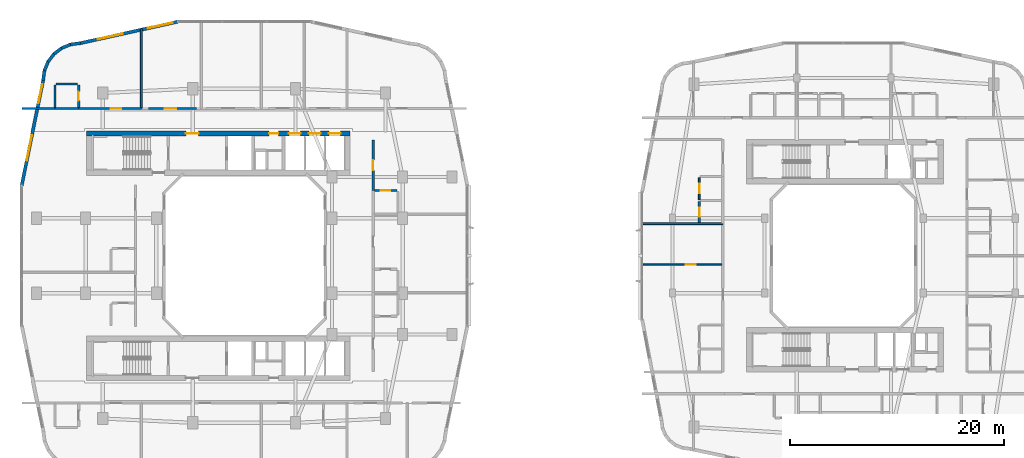
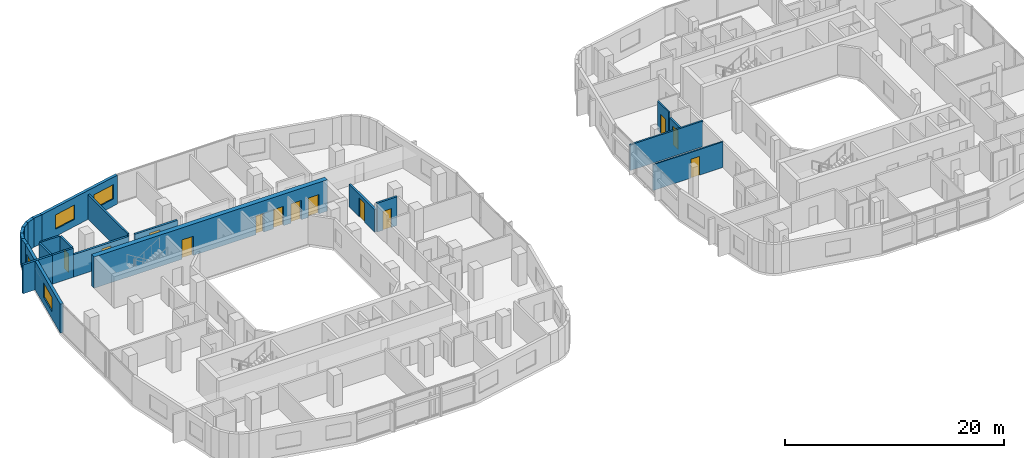
# One storey, part 16 of 27: 23 walls, 13 doors, 4 windows, 17 openings.
"""IFC4 building model written with IfcOpenShell, lengths in metres."""

import ifcopenshell
import ifcopenshell.guid

model = None  # the IFC model being written
_history = None  # IfcOwnerHistory: only IFC2X3 demands one
_inside = {}  # id of a spatial element -> (the spatial element, [elements in it])
_under = {}  # id of a project, library or spatial element -> (it, [spatial elements below it])
_declared = {}  # id of a project -> (the project, [libraries it declares])
_typed = {}  # id of a type object -> (the type object, [elements of that type])
_made_of = {}  # id of a material, layer set ... -> (it, [elements and type objects made of it])


def new_model(schema):
    """Start an empty IFC model of exactly this schema.

    Asked for "IFC4X3", IfcOpenShell would pick the latest addendum, in which some entities
    have other attributes; the version numbers below select the first issue.
    IFC2X3 requires an IfcOwnerHistory on every rooted entity: one is made here for all.
    """
    global model, _history
    if schema == "IFC4X3":
        model = ifcopenshell.file(schema_version=(4, 3, 0, 0))
    else:
        model = ifcopenshell.file(schema=schema)
    _inside.clear()
    _under.clear()
    _declared.clear()
    _typed.clear()
    _made_of.clear()
    _history = None
    if model.schema == "IFC2X3":
        org = make("IfcOrganization", Name="unknown")
        user = make(
            "IfcPersonAndOrganization",
            ThePerson=make("IfcPerson", FamilyName="unknown"),
            TheOrganization=org,
        )
        app = make(
            "IfcApplication",
            ApplicationDeveloper=org,
            Version="unknown",
            ApplicationFullName="unknown",
            ApplicationIdentifier="unknown",
        )
        _history = make(
            "IfcOwnerHistory",
            OwningUser=user,
            OwningApplication=app,
            ChangeAction="ADDED",
            CreationDate=0,
        )
    return model


def make(cls, **values):
    """One entity of the class cls with the attributes given. An attribute that is None is left unset."""
    return model.create_entity(
        cls, **{name: value for name, value in values.items() if value is not None}
    )


def rooted(cls, **values):
    """An entity with a GlobalId (a new one), such as an element, a storey or a relation."""
    return make(cls, GlobalId=ifcopenshell.guid.new(), OwnerHistory=_history, **values)


def si_unit(unit_type, name, prefix=None):
    """IfcSIUnit, for example si_unit("LENGTHUNIT", "METRE", prefix="MILLI")."""
    return make("IfcSIUnit", UnitType=unit_type, Prefix=prefix, Name=name)


def derived_unit(unit_type, elements):
    """IfcDerivedUnit: a product of units, each with its exponent."""
    return make(
        "IfcDerivedUnit",
        Elements=[
            make("IfcDerivedUnitElement", Unit=unit, Exponent=power)
            for unit, power in elements
        ],
        UnitType=unit_type,
    )


def assignment(units):
    """IfcUnitAssignment: the units of a project."""
    return None if units is None else make("IfcUnitAssignment", Units=units)


def point(xyz):
    """IfcCartesianPoint."""
    return None if xyz is None else make("IfcCartesianPoint", Coordinates=xyz)


def direction(xyz):
    """IfcDirection."""
    return None if xyz is None else make("IfcDirection", DirectionRatios=xyz)


def frame(location, z_axis=None, x_axis=None):
    """IfcAxis2Placement3D, a coordinate frame: its origin and axes. An axis left out is left unset."""
    return make(
        "IfcAxis2Placement3D",
        Location=point(location),
        Axis=direction(z_axis),
        RefDirection=direction(x_axis),
    )


def frame_2d(location, x_axis=None):
    """IfcAxis2Placement2D, a coordinate frame in the plane: its origin and x axis."""
    return make(
        "IfcAxis2Placement2D", Location=point(location), RefDirection=direction(x_axis)
    )


def origin():
    """The frame at (0, 0, 0) with its axes left unset."""
    return frame((0.0, 0.0, 0.0))


def place(relative_to, where):
    """IfcLocalPlacement: puts the frame where relative to a parent placement (None: the world)."""
    return make(
        "IfcLocalPlacement", PlacementRelTo=relative_to, RelativePlacement=where
    )


def context(
    kind, dimensions, precision=None, world=None, true_north=None, identifier=None
):
    """IfcGeometricRepresentationContext, for example the 3D "Model" context."""
    return make(
        "IfcGeometricRepresentationContext",
        ContextIdentifier=identifier,
        ContextType=kind,
        CoordinateSpaceDimension=dimensions,
        Precision=precision,
        WorldCoordinateSystem=world,
        TrueNorth=true_north,
    )


def subcontext(parent, identifier, kind, view, scale=None):
    """IfcGeometricRepresentationSubContext, for example "Body" below "Model"."""
    return make(
        "IfcGeometricRepresentationSubContext",
        ContextIdentifier=identifier,
        ContextType=kind,
        ParentContext=parent,
        TargetScale=scale,
        TargetView=view,
    )


def project(units=None, contexts=None):
    """IfcProject with its units and contexts."""
    return rooted(
        "IfcProject",
        Name="project",
        RepresentationContexts=contexts,
        UnitsInContext=assignment(units),
    )


def spatial(cls, under=None, at=None, **own):
    """A site, building, storey or space (cls), placed at a placement, below another one or the project."""
    s = rooted(cls, ObjectPlacement=at, **own)
    if under is not None:
        _under.setdefault(under.id(), (under, []))[1].append(s)
    return s


def profile(cls, at=None, kind="AREA", **sizes):
    """A parametric profile (cls). Its sizes go by their IFC names, for example OverallWidth=200.0."""
    return make(cls, ProfileType=kind, Position=at, **sizes)


def rectangle(**sizes):
    """IfcRectangleProfileDef."""
    return profile("IfcRectangleProfileDef", **sizes)


def extrude(swept, where, along, depth):
    """IfcExtrudedAreaSolid: the profile swept, set in the frame where, extruded along a direction by depth."""
    return make(
        "IfcExtrudedAreaSolid",
        SweptArea=swept,
        Position=where,
        ExtrudedDirection=direction(along),
        Depth=depth,
    )


def shape(context_of_items, identifier, shape_type, items):
    """IfcShapeRepresentation: the items that make up one representation, for example the "Body"."""
    return make(
        "IfcShapeRepresentation",
        ContextOfItems=context_of_items,
        RepresentationIdentifier=identifier,
        RepresentationType=shape_type,
        Items=items,
    )


def material(Name=None, Category=None):
    """IfcMaterial."""
    return make("IfcMaterial", Name=Name, Category=Category)


def layer(
    of_material, thickness, ventilated=None, Name=None, Category=None, Priority=None
):
    """IfcMaterialLayer: one layer of a wall or slab, of a material (None: an air gap)."""
    return make(
        "IfcMaterialLayer",
        Material=of_material,
        LayerThickness=thickness,
        IsVentilated=ventilated,
        Name=Name,
        Category=Category,
        Priority=Priority,
    )


def layer_set(layers, Name=None):
    """IfcMaterialLayerSet."""
    return make("IfcMaterialLayerSet", MaterialLayers=layers, LayerSetName=Name)


def made_of(thing, what):
    """Note that an element or type object is made of a material, layer set ...; save() writes the relation."""
    if what is not None:
        _made_of.setdefault(what.id(), (what, []))[1].append(thing)
    return thing


def type_object(cls, material=None, **own):
    """A type object (cls), such as IfcWallType, which elements share."""
    return made_of(rooted(cls, **own), material)


def element(
    cls,
    number,
    at=None,
    inside=None,
    cuts=None,
    type_object=None,
    material=None,
    context=None,
    identifier="Body",
    shape_type=None,
    held_by="IfcProductDefinitionShape",
    body=None,
    shapes=None,
    **own,
):
    """One element of the class cls, such as IfcWall. Its Tag is "e" and its number.

    at: its placement. inside: the storey or other place that contains it. cuts: it is an
    opening in that element (IfcRelVoidsElement). A single representation is given by context,
    identifier, shape_type and body (its items); several are given by shapes. held_by: the class
    of the entity that holds the representations. save() writes the other relations.
    """
    e = rooted(cls, Tag="e%d" % number, ObjectPlacement=at, **own)
    if body is not None:
        shapes = [shape(context, identifier, shape_type, body)]
    if shapes is not None:
        e.Representation = make(held_by, Representations=shapes)
    if inside is not None:
        _inside.setdefault(inside.id(), (inside, []))[1].append(e)
    if cuts is not None:
        rooted(
            "IfcRelVoidsElement", RelatingBuildingElement=cuts, RelatedOpeningElement=e
        )
    if type_object is not None:
        _typed.setdefault(type_object.id(), (type_object, []))[1].append(e)
    return made_of(e, material)


def fill(opening, filler):
    """IfcRelFillsElement: the door or window that sits in an opening."""
    return rooted(
        "IfcRelFillsElement",
        RelatingOpeningElement=opening,
        RelatedBuildingElement=filler,
    )


def aggregate(whole, parts):
    """IfcRelAggregates: a whole, such as a stair, and the parts it consists of."""
    return rooted("IfcRelAggregates", RelatingObject=whole, RelatedObjects=parts)


def save(model, path):
    """Write the relations noted so far, then the file.

    IfcRelAggregates (storeys below a building ...), IfcRelContainedInSpatialStructure (elements
    in a storey), IfcRelDefinesByType, IfcRelAssociatesMaterial and IfcRelDeclares: one each for
    every whole, place, type object, material and project.
    """
    for whole, parts in _under.values():
        aggregate(whole, parts)
    for where, things in _inside.values():
        rooted(
            "IfcRelContainedInSpatialStructure",
            RelatedElements=things,
            RelatingStructure=where,
        )
    for kind, things in _typed.values():
        rooted("IfcRelDefinesByType", RelatedObjects=things, RelatingType=kind)
    for what, things in _made_of.values():
        rooted("IfcRelAssociatesMaterial", RelatedObjects=things, RelatingMaterial=what)
    for by, libraries in _declared.values():
        rooted("IfcRelDeclares", RelatingContext=by, RelatedDefinitions=libraries)
    model.write(path)


model = new_model("IFC4")

# Units and contexts
model_context = context("Model", 3, precision=1e-05, world=origin(), true_north=direction((0.0, 1.0)))
body_context = subcontext(model_context, "Body", "Model", "MODEL_VIEW")
ifc_project = project(units=[si_unit("LENGTHUNIT", "METRE"), si_unit("AREAUNIT", "SQUARE_METRE"), si_unit("VOLUMEUNIT", "CUBIC_METRE"), si_unit("PLANEANGLEUNIT", "RADIAN"), si_unit("MASSUNIT", "GRAM", prefix="KILO"), derived_unit("THERMALTRANSMITTANCEUNIT", [(si_unit("POWERUNIT", "WATT"), 1), (si_unit("LENGTHUNIT", "METRE"), -2), (si_unit("THERMODYNAMICTEMPERATUREUNIT", "KELVIN"), -1)])], contexts=[model_context])

# Site, building, storey
site_placement = place(None, origin())
site = spatial("IfcSite", under=ifc_project, at=site_placement, CompositionType="ELEMENT")
building_placement = place(site_placement, origin())
building = spatial("IfcBuilding", under=site, at=building_placement, Name="Kivonza Crest Hotel", CompositionType="ELEMENT")
storey_placement = place(building_placement, frame((0.0, 0.0, 73.0)))
storey = spatial("IfcBuildingStorey", under=building, at=storey_placement, Name="L19", CompositionType="ELEMENT", Elevation=73.0)

# Walls
ifc_material_1 = material(Name="High-density acoustic masonry inter-tenancy wall", Category="masonry")
ifc_layer_1 = layer(ifc_material_1, 0.179931640625)
ifc_layer_set_1 = layer_set([ifc_layer_1], Name="High-density acoustic masonry inter-tenancy wall")
wall_type_1 = type_object("IfcWallType", Name="WL-ACOU-180", PredefinedType="SOLIDWALL", material=ifc_layer_set_1)
wall_1_placement = place(storey_placement, frame((11.39990234375, 38.75, 0.0), z_axis=(0.0, 0.0, 1.0), x_axis=(0.0, 1.0, 0.0)))
element("IfcWall", 1, at=wall_1_placement, inside=storey, type_object=wall_type_1, Name="L19 interior partition WA-L19-T1N-DIV1", PredefinedType="SOLIDWALL", context=body_context, shape_type="SweptSolid", body=[
    extrude(rectangle(XDim=7.449951171875, YDim=0.179931640625, at=frame_2d((3.72509765625, 0.0))), origin(), (0.0, 0.0, 1.0), 2.7451171875),
])
wall_2_placement = place(storey_placement, frame((58.06005859375, 28.0, 0.0), z_axis=(0.0, 0.0, 1.0), x_axis=(1.0, 0.0, 0.0)))
element("IfcWall", 2, at=wall_2_placement, inside=storey, type_object=wall_type_1, Name="L19 interior partition WA-L19-T2W-DIV1", PredefinedType="SOLIDWALL", context=body_context, shape_type="SweptSolid", body=[
    extrude(rectangle(XDim=7.639892578125, YDim=0.179931640625, at=frame_2d((3.81982421875, 0.0))), origin(), (0.0, 0.0, 1.0), 2.864990234375),
])
ifc_material_2 = material(Name="Autoclaved aerated concrete blockwork", Category="masonry")
ifc_layer_2 = layer(ifc_material_2, 0.219970703125)
ifc_layer_set_2 = layer_set([ifc_layer_2], Name="Autoclaved aerated concrete blockwork")
wall_type_2 = type_object("IfcWallType", Name="WL-ACOU-220", PredefinedType="SOLIDWALL", material=ifc_layer_set_2)
wall_3_placement = place(storey_placement, frame((0.239990234375, 38.75, 0.0), z_axis=(0.0, 0.0, 1.0), x_axis=(1.0, 0.0, 0.0)))
element("IfcWall", 3, at=wall_3_placement, inside=storey, type_object=wall_type_2, Name="L19 interior partition WA-L19-N01-XCORR", PredefinedType="SOLIDWALL", context=body_context, shape_type="SweptSolid", body=[
    extrude(rectangle(XDim=3.110107421875, YDim=0.219970703125, at=frame_2d((1.55517578125, 0.0))), origin(), (0.0, 0.0, 1.0), 3.219970703125),
])
wall_4_placement = place(storey_placement, frame((3.35009765625, 38.75, 0.0), z_axis=(0.0, 0.0, 1.0), x_axis=(1.0, 0.0, 0.0)))
element("IfcWall", 4, at=wall_4_placement, inside=storey, type_object=wall_type_2, Name="L19 interior partition WA-L19-N01-BCORR", PredefinedType="SOLIDWALL", context=body_context, shape_type="SweptSolid", body=[
    extrude(rectangle(XDim=2.199951171875, YDim=0.219970703125, at=frame_2d((1.10009765625, 0.0))), origin(), (0.0, 0.0, 1.0), 3.219970703125),
])

# Wall, opening, door
wall_5_placement = place(storey_placement, frame((5.550048828125, 38.75, 0.0), z_axis=(0.0, 0.0, 1.0), x_axis=(1.0, 0.0, 0.0)))
wall_5 = element("IfcWall", 5, at=wall_5_placement, inside=storey, type_object=wall_type_2, Name="L19 interior partition WA-L19-N01-MCORR", PredefinedType="SOLIDWALL", context=body_context, shape_type="SweptSolid", body=[
    extrude(rectangle(XDim=5.849853515625, YDim=0.219970703125, at=frame_2d((2.9248046875, 0.0))), origin(), (0.0, 0.0, 1.0), 2.4951171875),
])
opening_1_placement = place(wall_5_placement, frame((3.010009765625, 0.0, 0.0)))
opening_1 = element("IfcOpeningElement", 6, at=opening_1_placement, cuts=wall_5, Name="Opening DU-60", PredefinedType="OPENING", context=body_context, shape_type="SweptSolid", body=[
    extrude(rectangle(XDim=0.949951171875, YDim=2.10009765625, at=frame_2d((0.47509765625, 1.050048828125))), frame((0.0, 0.1201171875, 0.0), z_axis=(0.0, -1.0, 0.0), x_axis=(1.0, 0.0, 0.0)), (0.0, 0.0, 1.0), 0.239990234375),
])
ifc_material_3 = material(Name="Hardwood timber oak", Category="wood")
door_type_1 = type_object("IfcDoorType", Name="DR-UNIT-950", OperationType="NOTDEFINED", PredefinedType="DOOR", material=ifc_material_3)
door_1_placement = place(opening_1_placement, origin())
door_1 = element("IfcDoor", 7, at=door_1_placement, inside=storey, type_object=door_type_1, Name="L19 N01 guest unit entrance fire door", OperationType="SINGLE_SWING_LEFT", OverallHeight=2.10009765625, OverallWidth=0.949951171875, PredefinedType="DOOR", context=body_context, shape_type="SweptSolid", body=[
    extrude(rectangle(XDim=0.949951171875, YDim=2.10009765625, at=frame_2d((0.47509765625, 1.050048828125))), frame((0.0, 0.02490234375, 0.0), z_axis=(0.0, -1.0, 0.0), x_axis=(1.0, 0.0, 0.0)), (0.0, 0.0, 1.0), 0.050048828125),
])
fill(opening_1, door_1)

wall_6_placement = place(storey_placement, frame((12.050048828125, 38.75, 0.0), z_axis=(0.0, 0.0, 1.0), x_axis=(1.0, 0.0, 0.0)))
wall_6 = element("IfcWall", 8, at=wall_6_placement, inside=storey, type_object=wall_type_2, Name="L19 interior partition WA-L19-Z1-NB2A-S", PredefinedType="SOLIDWALL", context=body_context, shape_type="SweptSolid", body=[
    extrude(rectangle(XDim=4.5, YDim=0.219970703125, at=frame_2d((2.25, 0.0))), origin(), (0.0, 0.0, 1.0), 2.4951171875),
])
opening_2_placement = place(wall_6_placement, frame((1.52001953125, 0.0, 0.0)))
opening_2 = element("IfcOpeningElement", 9, at=opening_2_placement, cuts=wall_6, Name="Opening DF-60M", PredefinedType="OPENING", context=body_context, shape_type="SweptSolid", body=[
    extrude(rectangle(XDim=1.10009765625, YDim=2.10009765625, at=frame_2d((0.550048828125, 1.050048828125))), frame((0.0, 0.1201171875, 0.0), z_axis=(0.0, -1.0, 0.0), x_axis=(1.0, 0.0, 0.0)), (0.0, 0.0, 1.0), 0.239990234375),
])
door_type_2 = type_object("IfcDoorType", Name="DR-FD60-1100", OperationType="NOTDEFINED", PredefinedType="DOOR", material=ifc_material_3)
door_2_placement = place(opening_2_placement, origin())
door_2 = element("IfcDoor", 10, at=door_2_placement, inside=storey, type_object=door_type_2, Name="L19 Zone 1 North Executive Office door", OperationType="SINGLE_SWING_RIGHT", OverallHeight=2.10009765625, OverallWidth=1.10009765625, PredefinedType="DOOR", context=body_context, shape_type="SweptSolid", body=[
    extrude(rectangle(XDim=1.10009765625, YDim=2.10009765625, at=frame_2d((0.550048828125, 1.050048828125))), frame((0.0, 0.02490234375, 0.0), z_axis=(0.0, -1.0, 0.0), x_axis=(1.0, 0.0, 0.0)), (0.0, 0.0, 1.0), 0.050048828125),
])
fill(opening_2, door_2)

wall_7_placement = place(storey_placement, frame((33.050048828125, 31.087890625, 0.0), z_axis=(0.0, 0.0, 1.0), x_axis=(0.0, 1.0, 0.0)))
wall_7 = element("IfcWall", 11, at=wall_7_placement, inside=storey, type_object=wall_type_2, Name="L19 interior partition WA-L19-E08-MCORR", PredefinedType="SOLIDWALL", context=body_context, shape_type="SweptSolid", body=[
    extrude(rectangle(XDim=4.712158203125, YDim=0.219970703125, at=frame_2d((2.35595703125, 0.0))), origin(), (0.0, 0.0, 1.0), 2.4951171875),
])
opening_3_placement = place(wall_7_placement, frame((1.881103515625, 0.0, 0.0)))
opening_3 = element("IfcOpeningElement", 12, at=opening_3_placement, cuts=wall_7, Name="Opening DU-60", PredefinedType="OPENING", context=body_context, shape_type="SweptSolid", body=[
    extrude(rectangle(XDim=0.949951171875, YDim=2.10009765625, at=frame_2d((0.47509765625, 1.050048828125))), frame((0.0, 0.1201171875, 0.0), z_axis=(0.0, -1.0, 0.0), x_axis=(1.0, 0.0, 0.0)), (0.0, 0.0, 1.0), 0.239990234375),
])
door_3_placement = place(opening_3_placement, frame((0.949951171875, 0.0, 0.0), z_axis=(0.0, 0.0, 1.0), x_axis=(-1.0, 0.0, 0.0)))
door_3 = element("IfcDoor", 13, at=door_3_placement, inside=storey, type_object=door_type_1, Name="L19 E08 guest unit entrance fire door", OperationType="SINGLE_SWING_RIGHT", OverallHeight=2.10009765625, OverallWidth=0.949951171875, PredefinedType="DOOR", context=body_context, shape_type="SweptSolid", body=[
    extrude(rectangle(XDim=0.949951171875, YDim=2.10009765625, at=frame_2d((0.47509765625, 1.050048828125))), frame((0.0, 0.02490234375, 0.0), z_axis=(0.0, -1.0, 0.0), x_axis=(1.0, 0.0, 0.0)), (0.0, 0.0, 1.0), 0.050048828125),
])
fill(opening_3, door_3)

# Wall, openings, doors
ifc_material_4 = material(Name="Concrete C60/75", Category="concrete")
ifc_layer_3 = layer(ifc_material_4, 0.5)
ifc_layer_set_3 = layer_set([ifc_layer_3], Name="Concrete C60/75")
wall_type_3 = type_object("IfcWallType", Name="WL-CORE-500", PredefinedType="SHEAR", material=ifc_layer_set_3)
wall_8_placement = place(storey_placement, frame((6.300048828125, 36.409912109375, 0.0), z_axis=(0.0, 0.0, 1.0), x_axis=(1.0, 0.0, 0.0)))
wall_8 = element("IfcWall", 14, at=wall_8_placement, inside=storey, type_object=wall_type_3, Name="Core wall T1-N North L19", PredefinedType="SHEAR", context=body_context, shape_type="SweptSolid", body=[
    extrude(rectangle(XDim=24.599853515625, YDim=0.5, at=frame_2d((12.2998046875, 0.0))), origin(), (0.0, 0.0, 1.0), 3.5),
])
opening_4_placement = place(wall_8_placement, frame((9.25, 0.0, 0.0)))
opening_4 = element("IfcOpeningElement", 15, at=opening_4_placement, cuts=wall_8, Name="Opening DF-60", PredefinedType="OPENING", context=body_context, shape_type="SweptSolid", body=[
    extrude(rectangle(XDim=1.199951171875, YDim=2.14990234375, at=frame_2d((0.60009765625, 1.074951171875))), frame((0.0, 0.260009765625, 0.0), z_axis=(0.0, -1.0, 0.0), x_axis=(1.0, 0.0, 0.0)), (0.0, 0.0, 1.0), 0.52001953125),
])
opening_5_placement = place(wall_8_placement, frame((17.0400390625, 0.0, 0.0)))
opening_5 = element("IfcOpeningElement", 16, at=opening_5_placement, cuts=wall_8, Name="Opening DF-60R", PredefinedType="OPENING", context=body_context, shape_type="SweptSolid", body=[
    extrude(rectangle(XDim=0.85009765625, YDim=2.10009765625, at=frame_2d((0.425048828125, 1.050048828125))), frame((0.0, 0.260009765625, 0.0), z_axis=(0.0, -1.0, 0.0), x_axis=(1.0, 0.0, 0.0)), (0.0, 0.0, 1.0), 0.52001953125),
])
opening_6_placement = place(wall_8_placement, frame((18.883056640625, 0.0, 0.0)))
opening_6 = element("IfcOpeningElement", 17, at=opening_6_placement, cuts=wall_8, Name="Opening LD-120", PredefinedType="OPENING", context=body_context, shape_type="SweptSolid", body=[
    extrude(rectangle(XDim=1.10009765625, YDim=2.14990234375, at=frame_2d((0.550048828125, 1.074951171875))), frame((0.0, 0.260009765625, 0.0), z_axis=(0.0, -1.0, 0.0), x_axis=(1.0, 0.0, 0.0)), (0.0, 0.0, 1.0), 0.52001953125),
])
opening_7_placement = place(wall_8_placement, frame((20.75, 0.0, 0.0)))
opening_7 = element("IfcOpeningElement", 18, at=opening_7_placement, cuts=wall_8, Name="Opening LD-120", PredefinedType="OPENING", context=body_context, shape_type="SweptSolid", body=[
    extrude(rectangle(XDim=1.10009765625, YDim=2.14990234375, at=frame_2d((0.550048828125, 1.074951171875))), frame((0.0, 0.260009765625, 0.0), z_axis=(0.0, -1.0, 0.0), x_axis=(1.0, 0.0, 0.0)), (0.0, 0.0, 1.0), 0.52001953125),
])
opening_8_placement = place(wall_8_placement, frame((22.615966796875, 0.0, 0.0)))
opening_8 = element("IfcOpeningElement", 19, at=opening_8_placement, cuts=wall_8, Name="Opening LD-120", PredefinedType="OPENING", context=body_context, shape_type="SweptSolid", body=[
    extrude(rectangle(XDim=1.10009765625, YDim=2.14990234375, at=frame_2d((0.550048828125, 1.074951171875))), frame((0.0, 0.260009765625, 0.0), z_axis=(0.0, -1.0, 0.0), x_axis=(1.0, 0.0, 0.0)), (0.0, 0.0, 1.0), 0.52001953125),
])
door_type_3 = type_object("IfcDoorType", Name="DR-FD60-1200", OperationType="NOTDEFINED", PredefinedType="DOOR", material=ifc_material_3)
door_4_placement = place(opening_4_placement, origin())
door_4 = element("IfcDoor", 20, at=door_4_placement, inside=storey, type_object=door_type_3, Name="L19 T1-N firefighting lobby fire door", OperationType="SINGLE_SWING_RIGHT", OverallHeight=2.14990234375, OverallWidth=1.199951171875, PredefinedType="DOOR", context=body_context, shape_type="SweptSolid", body=[
    extrude(rectangle(XDim=1.199951171875, YDim=2.14990234375, at=frame_2d((0.60009765625, 1.074951171875))), frame((0.0, 0.02490234375, 0.0), z_axis=(0.0, -1.0, 0.0), x_axis=(1.0, 0.0, 0.0)), (0.0, 0.0, 1.0), 0.050048828125),
])
fill(opening_4, door_4)
door_type_4 = type_object("IfcDoorType", Name="DR-FD60-850", OperationType="NOTDEFINED", PredefinedType="DOOR", material=ifc_material_3)
door_5_placement = place(opening_5_placement, origin())
door_5 = element("IfcDoor", 21, at=door_5_placement, inside=storey, type_object=door_type_4, Name="L19 T1-N core room door", OperationType="SINGLE_SWING_RIGHT", OverallHeight=2.10009765625, OverallWidth=0.85009765625, PredefinedType="DOOR", context=body_context, shape_type="SweptSolid", body=[
    extrude(rectangle(XDim=0.85009765625, YDim=2.10009765625, at=frame_2d((0.425048828125, 1.050048828125))), frame((0.0, 0.02490234375, 0.0), z_axis=(0.0, -1.0, 0.0), x_axis=(1.0, 0.0, 0.0)), (0.0, 0.0, 1.0), 0.050048828125),
])
fill(opening_5, door_5)
ifc_material_5 = material(Name="Stainless steel", Category="steel")
door_type_5 = type_object("IfcDoorType", Name="DR-LD120-1100", OperationType="NOTDEFINED", PredefinedType="DOOR", material=ifc_material_5)
door_6_placement = place(opening_6_placement, origin())
door_6 = element("IfcDoor", 22, at=door_6_placement, inside=storey, type_object=door_type_5, Name="L19 PL-T1-L1 passenger lift sliding landing door", OperationType="DOUBLE_DOOR_SLIDING", OverallHeight=2.14990234375, OverallWidth=1.10009765625, PredefinedType="DOOR", context=body_context, shape_type="SweptSolid", body=[
    extrude(rectangle(XDim=1.10009765625, YDim=2.14990234375, at=frame_2d((0.550048828125, 1.074951171875))), frame((0.0, 0.02490234375, 0.0), z_axis=(0.0, -1.0, 0.0), x_axis=(1.0, 0.0, 0.0)), (0.0, 0.0, 1.0), 0.050048828125),
])
fill(opening_6, door_6)
door_7_placement = place(opening_7_placement, origin())
door_7 = element("IfcDoor", 23, at=door_7_placement, inside=storey, type_object=door_type_5, Name="L19 PL-T1-L2 passenger lift sliding landing door", OperationType="DOUBLE_DOOR_SLIDING", OverallHeight=2.14990234375, OverallWidth=1.10009765625, PredefinedType="DOOR", context=body_context, shape_type="SweptSolid", body=[
    extrude(rectangle(XDim=1.10009765625, YDim=2.14990234375, at=frame_2d((0.550048828125, 1.074951171875))), frame((0.0, 0.02490234375, 0.0), z_axis=(0.0, -1.0, 0.0), x_axis=(1.0, 0.0, 0.0)), (0.0, 0.0, 1.0), 0.050048828125),
])
fill(opening_7, door_7)
door_8_placement = place(opening_8_placement, origin())
door_8 = element("IfcDoor", 24, at=door_8_placement, inside=storey, type_object=door_type_5, Name="L19 PL-T1-L3 passenger lift sliding landing door", OperationType="DOUBLE_DOOR_SLIDING", OverallHeight=2.14990234375, OverallWidth=1.10009765625, PredefinedType="DOOR", context=body_context, shape_type="SweptSolid", body=[
    extrude(rectangle(XDim=1.10009765625, YDim=2.14990234375, at=frame_2d((0.550048828125, 1.074951171875))), frame((0.0, 0.02490234375, 0.0), z_axis=(0.0, -1.0, 0.0), x_axis=(1.0, 0.0, 0.0)), (0.0, 0.0, 1.0), 0.050048828125),
])
fill(opening_8, door_8)

# Wall, openings, windows
ifc_material_6 = material(Name="Precast concrete C40/50", Category="concrete")
ifc_layer_4 = layer(ifc_material_6, 0.300048828125)
ifc_layer_set_4 = layer_set([ifc_layer_4], Name="Precast concrete C40/50")
wall_type_4 = type_object("IfcWallType", Name="WL-EXT-300", PredefinedType="STANDARD", material=ifc_layer_set_4)
wall_9_placement = place(storey_placement, frame((14.837890625, 46.865966796875, 0.0), z_axis=(0.0, 0.0, 1.0), x_axis=(-0.9765437942, -0.215318875183, 0.0)))
wall_9 = element("IfcWall", 25, at=wall_9_placement, inside=storey, type_object=wall_type_4, Name="L19 T1 exterior insulated wall 27", PredefinedType="STANDARD", context=body_context, shape_type="SweptSolid", body=[
    extrude(rectangle(XDim=9.353271484375, YDim=0.300048828125, at=frame_2d((4.6767578125, 0.0))), origin(), (0.0, 0.0, 1.0), 3.219970703125),
])
opening_9_placement = place(wall_9_placement, frame((0.52001953125, 0.0, 0.800048828125)))
opening_9 = element("IfcOpeningElement", 26, at=opening_9_placement, cuts=wall_9, Name="Opening WN-05", PredefinedType="OPENING", context=body_context, shape_type="SweptSolid", body=[
    extrude(rectangle(XDim=2.39990234375, YDim=1.60009765625, at=frame_2d((1.199951171875, 0.800048828125))), frame((0.0, 0.16015625, 0.0), z_axis=(0.0, -1.0, 0.0), x_axis=(1.0, 0.0, 0.0)), (0.0, 0.0, 1.0), 0.320068359375),
])
opening_10_placement = place(wall_9_placement, frame((5.302001953125, 0.0, 0.800048828125)))
opening_10 = element("IfcOpeningElement", 27, at=opening_10_placement, cuts=wall_9, Name="Opening WN-05", PredefinedType="OPENING", context=body_context, shape_type="SweptSolid", body=[
    extrude(rectangle(XDim=2.39990234375, YDim=1.60009765625, at=frame_2d((1.199951171875, 0.800048828125))), frame((0.0, 0.16015625, 0.0), z_axis=(0.0, -1.0, 0.0), x_axis=(1.0, 0.0, 0.0)), (0.0, 0.0, 1.0), 0.320068359375),
])
ifc_material_7 = material(Name="Thermally broken bronze aluminium and low-E double glazing", Category="aluminium")
window_type_1 = type_object("IfcWindowType", Name="WN-240x160", PartitioningType="TRIPLE_PANEL_VERTICAL", PredefinedType="WINDOW", material=ifc_material_7)
window_1_placement = place(opening_9_placement, origin())
window_1 = element("IfcWindow", 28, at=window_1_placement, inside=storey, type_object=window_type_1, Name="L19 T1 facade window 27 bay 1", OverallHeight=1.60009765625, OverallWidth=2.39990234375, PartitioningType="SINGLE_PANEL", PredefinedType="WINDOW", context=body_context, shape_type="SweptSolid", body=[
    extrude(rectangle(XDim=2.39990234375, YDim=1.60009765625, at=frame_2d((1.199951171875, 0.800048828125))), frame((0.0, 0.030029296875, 0.0), z_axis=(0.0, -1.0, 0.0), x_axis=(1.0, 0.0, 0.0)), (0.0, 0.0, 1.0), 0.06005859375),
])
fill(opening_9, window_1)
window_2_placement = place(opening_10_placement, origin())
window_2 = element("IfcWindow", 29, at=window_2_placement, inside=storey, type_object=window_type_1, Name="L19 T1 facade window 27 bay 2", OverallHeight=1.60009765625, OverallWidth=2.39990234375, PartitioningType="SINGLE_PANEL", PredefinedType="WINDOW", context=body_context, shape_type="SweptSolid", body=[
    extrude(rectangle(XDim=2.39990234375, YDim=1.60009765625, at=frame_2d((1.199951171875, 0.800048828125))), frame((0.0, 0.030029296875, 0.0), z_axis=(0.0, -1.0, 0.0), x_axis=(1.0, 0.0, 0.0)), (0.0, 0.0, 1.0), 0.06005859375),
])
fill(opening_10, window_2)

# Walls
wall_10_placement = place(storey_placement, frame((5.7080078125, 44.85205078125, 0.0), z_axis=(0.0, 0.0, 1.0), x_axis=(-0.991359246108, -0.131174864804, 0.0)))
element("IfcWall", 30, at=wall_10_placement, inside=storey, type_object=wall_type_4, Name="L19 T1 exterior insulated wall 28", PredefinedType="STANDARD", context=body_context, shape_type="SweptSolid", body=[
    extrude(rectangle(XDim=0.93798828125, YDim=0.300048828125, at=frame_2d((0.468994140625, 0.0))), origin(), (0.0, 0.0, 1.0), 3.219970703125),
])
wall_11_placement = place(storey_placement, frame((4.827880859375, 44.748046875, 0.0), z_axis=(0.0, 0.0, 1.0), x_axis=(-0.923982547689, -0.382434636986, 0.0)))
element("IfcWall", 31, at=wall_11_placement, inside=storey, type_object=wall_type_4, Name="L19 T1 exterior insulated wall 29", PredefinedType="STANDARD", context=body_context, shape_type="SweptSolid", body=[
    extrude(rectangle(XDim=0.954345703125, YDim=0.300048828125, at=frame_2d((0.47705078125, 0.0))), origin(), (0.0, 0.0, 1.0), 3.219970703125),
])
for number, where, z_axis, x_axis, name in (
    (32, (3.990966796875, 44.4140625, 0.0), (0.0, 0.0, 1.0), (-0.793668068435, -0.608351047625, 0.0), "L19 T1 exterior insulated wall 30"),
    (33, (3.26806640625, 43.875, 0.0), (0.0, 0.0, 1.0), (-0.608351047625, -0.793668068435, 0.0), "L19 T1 exterior insulated wall 31"),
):
    element("IfcWall", number, at=place(storey_placement, frame(where, z_axis=z_axis, x_axis=x_axis)), inside=storey, type_object=wall_type_4, Name=name, PredefinedType="STANDARD", context=body_context, shape_type="SweptSolid", body=[
        extrude(rectangle(XDim=0.955078125, YDim=0.300048828125, at=frame_2d((0.4775390625, 0.0))), origin(), (0.0, 0.0, 1.0), 3.219970703125),
    ])
wall_12_placement = place(storey_placement, frame((2.7109375, 43.166015625, 0.0), z_axis=(0.0, 0.0, 1.0), x_axis=(-0.382344263057, -0.924019948111, 0.0)))
element("IfcWall", 34, at=wall_12_placement, inside=storey, type_object=wall_type_4, Name="L19 T1 exterior insulated wall 32", PredefinedType="STANDARD", context=body_context, shape_type="SweptSolid", body=[
    extrude(rectangle(XDim=0.95458984375, YDim=0.300048828125, at=frame_2d((0.477294921875, 0.0))), origin(), (0.0, 0.0, 1.0), 3.219970703125),
])
wall_13_placement = place(storey_placement, frame((2.35498046875, 42.3369140625, 0.0), z_axis=(0.0, 0.0, 1.0), x_axis=(-0.130454512571, -0.991454295543, 0.0)))
element("IfcWall", 35, at=wall_13_placement, inside=storey, type_object=wall_type_4, Name="L19 T1 exterior insulated wall 33", PredefinedType="STANDARD", context=body_context, shape_type="SweptSolid", body=[
    extrude(rectangle(XDim=0.97314453125, YDim=0.300048828125, at=frame_2d((0.486572265625, 0.0))), origin(), (0.0, 0.0, 1.0), 3.219970703125),
])

# Wall, openings, windows
wall_14_placement = place(storey_placement, frame((2.22900390625, 41.3779296875, 0.0), z_axis=(0.0, 0.0, 1.0), x_axis=(-0.199990901713, -0.979797754249, 0.0)))
wall_14 = element("IfcWall", 36, at=wall_14_placement, inside=storey, type_object=wall_type_4, Name="L19 T1 exterior insulated wall 34", PredefinedType="STANDARD", context=body_context, shape_type="SweptSolid", body=[
    extrude(rectangle(XDim=10.065185546875, YDim=0.300048828125, at=frame_2d((5.03271484375, 0.0))), origin(), (0.0, 0.0, 1.0), 3.219970703125),
])
opening_11_placement = place(wall_14_placement, frame((0.3779296875, 0.0, 0.85009765625)))
opening_11 = element("IfcOpeningElement", 37, at=opening_11_placement, cuts=wall_14, Name="Opening WN-03", PredefinedType="OPENING", context=body_context, shape_type="SweptSolid", body=[
    extrude(rectangle(XDim=1.800048828125, YDim=1.5, at=frame_2d((0.89990234375, 0.75))), frame((0.0, 0.16015625, 0.0), z_axis=(0.0, -1.0, 0.0), x_axis=(1.0, 0.0, 0.0)), (0.0, 0.0, 1.0), 0.320068359375),
])
opening_12_placement = place(wall_14_placement, frame((5.236083984375, 0.0, 0.800048828125)))
opening_12 = element("IfcOpeningElement", 38, at=opening_12_placement, cuts=wall_14, Name="Opening WN-05", PredefinedType="OPENING", context=body_context, shape_type="SweptSolid", body=[
    extrude(rectangle(XDim=2.39990234375, YDim=1.60009765625, at=frame_2d((1.199951171875, 0.800048828125))), frame((0.0, 0.16015625, 0.0), z_axis=(0.0, -1.0, 0.0), x_axis=(1.0, 0.0, 0.0)), (0.0, 0.0, 1.0), 0.320068359375),
])
window_type_2 = type_object("IfcWindowType", Name="WN-180x150", PartitioningType="DOUBLE_PANEL_VERTICAL", PredefinedType="WINDOW", material=ifc_material_7)
window_3_placement = place(opening_11_placement, origin())
window_3 = element("IfcWindow", 39, at=window_3_placement, inside=storey, type_object=window_type_2, Name="L19 T1 facade window 34 bay 1", OverallHeight=1.5, OverallWidth=1.800048828125, PartitioningType="SINGLE_PANEL", PredefinedType="WINDOW", context=body_context, shape_type="SweptSolid", body=[
    extrude(rectangle(XDim=1.800048828125, YDim=1.5, at=frame_2d((0.89990234375, 0.75))), frame((0.0, 0.030029296875, 0.0), z_axis=(0.0, -1.0, 0.0), x_axis=(1.0, 0.0, 0.0)), (0.0, 0.0, 1.0), 0.06005859375),
])
fill(opening_11, window_3)
window_4_placement = place(opening_12_placement, origin())
window_4 = element("IfcWindow", 40, at=window_4_placement, inside=storey, type_object=window_type_1, Name="L19 T1 facade window 34 bay 2", OverallHeight=1.60009765625, OverallWidth=2.39990234375, PartitioningType="SINGLE_PANEL", PredefinedType="WINDOW", context=body_context, shape_type="SweptSolid", body=[
    extrude(rectangle(XDim=2.39990234375, YDim=1.60009765625, at=frame_2d((1.199951171875, 0.800048828125))), frame((0.0, 0.030029296875, 0.0), z_axis=(0.0, -1.0, 0.0), x_axis=(1.0, 0.0, 0.0)), (0.0, 0.0, 1.0), 0.06005859375),
])
fill(opening_12, window_4)

# Wall, opening, door
ifc_material_8 = material(Name="Twin-stud acoustic gypsum board partition", Category="gypsum")
ifc_layer_5 = layer(ifc_material_8, 0.14990234375)
ifc_layer_set_5 = layer_set([ifc_layer_5], Name="Twin-stud acoustic gypsum board partition")
wall_type_5 = type_object("IfcWallType", Name="WL-PART-150", PredefinedType="PARTITIONING", material=ifc_layer_set_5)
wall_15_placement = place(storey_placement, frame((58.260009765625, 24.199951171875, 0.0), z_axis=(0.0, 0.0, 1.0), x_axis=(1.0, 0.0, 0.0)))
wall_15 = element("IfcWall", 41, at=wall_15_placement, inside=storey, type_object=wall_type_5, Name="L19 interior partition WP-L19-A06-BD1", PredefinedType="PARTITIONING", context=body_context, shape_type="SweptSolid", body=[
    extrude(rectangle(XDim=7.340087890625, YDim=0.14990234375, at=frame_2d((3.669921875, 0.0))), origin(), (0.0, 0.0, 1.0), 2.864990234375),
])
opening_13_placement = place(wall_15_placement, frame((3.989990234375, 0.0, 0.0)))
opening_13 = element("IfcOpeningElement", 42, at=opening_13_placement, cuts=wall_15, Name="Opening DI-90", PredefinedType="OPENING", context=body_context, shape_type="SweptSolid", body=[
    extrude(rectangle(XDim=0.89990234375, YDim=2.10009765625, at=frame_2d((0.449951171875, 1.050048828125))), frame((0.0, 0.0849609375, 0.0), z_axis=(0.0, -1.0, 0.0), x_axis=(1.0, 0.0, 0.0)), (0.0, 0.0, 1.0), 0.169921875),
])
door_type_6 = type_object("IfcDoorType", Name="DR-INT-900", OperationType="NOTDEFINED", PredefinedType="DOOR", material=ifc_material_3)
door_9_placement = place(opening_13_placement, origin())
door_9 = element("IfcDoor", 43, at=door_9_placement, inside=storey, type_object=door_type_6, Name="L19 A06 bedroom door", OperationType="SINGLE_SWING_LEFT", OverallHeight=2.10009765625, OverallWidth=0.89990234375, PredefinedType="DOOR", context=body_context, shape_type="SweptSolid", body=[
    extrude(rectangle(XDim=0.89990234375, YDim=2.10009765625, at=frame_2d((0.449951171875, 1.050048828125))), frame((0.0, 0.02490234375, 0.0), z_axis=(0.0, -1.0, 0.0), x_axis=(1.0, 0.0, 0.0)), (0.0, 0.0, 1.0), 0.050048828125),
])
fill(opening_13, door_9)

wall_16_placement = place(storey_placement, frame((63.5, 30.25, 0.0), z_axis=(0.0, 0.0, 1.0), x_axis=(0.0, 1.0, 0.0)))
wall_16 = element("IfcWall", 44, at=wall_16_placement, inside=storey, type_object=wall_type_5, Name="L19 interior partition WP-L19-A07-KSVC", PredefinedType="PARTITIONING", context=body_context, shape_type="SweptSolid", body=[
    extrude(rectangle(XDim=2.050048828125, YDim=0.14990234375, at=frame_2d((1.02490234375, 0.0))), origin(), (0.0, 0.0, 1.0), 3.219970703125),
])
opening_14_placement = place(wall_16_placement, frame((0.574951171875, 0.0, 0.0)))
opening_14 = element("IfcOpeningElement", 45, at=opening_14_placement, cuts=wall_16, Name="Opening DI-90", PredefinedType="OPENING", context=body_context, shape_type="SweptSolid", body=[
    extrude(rectangle(XDim=0.89990234375, YDim=2.10009765625, at=frame_2d((0.449951171875, 1.050048828125))), frame((0.0, 0.0849609375, 0.0), z_axis=(0.0, -1.0, 0.0), x_axis=(1.0, 0.0, 0.0)), (0.0, 0.0, 1.0), 0.169921875),
])
door_10_placement = place(opening_14_placement, origin())
door_10 = element("IfcDoor", 46, at=door_10_placement, inside=storey, type_object=door_type_6, Name="L19 A07 apartment kitchen door", OperationType="SINGLE_SWING_LEFT", OverallHeight=2.10009765625, OverallWidth=0.89990234375, PredefinedType="DOOR", context=body_context, shape_type="SweptSolid", body=[
    extrude(rectangle(XDim=0.89990234375, YDim=2.10009765625, at=frame_2d((0.449951171875, 1.050048828125))), frame((0.0, 0.02490234375, 0.0), z_axis=(0.0, -1.0, 0.0), x_axis=(1.0, 0.0, 0.0)), (0.0, 0.0, 1.0), 0.050048828125),
])
fill(opening_14, door_10)

ifc_material_9 = material(Name="Moisture-resistant plumbing chase partition wall", Category="gypsum")
ifc_layer_6 = layer(ifc_material_9, 0.199951171875)
ifc_layer_set_6 = layer_set([ifc_layer_6], Name="Moisture-resistant plumbing chase partition wall")
wall_type_6 = type_object("IfcWallType", Name="WL-PLUMB-200", PredefinedType="PLUMBINGWALL", material=ifc_layer_set_6)
wall_17_placement = place(storey_placement, frame((5.550048828125, 38.85009765625, 0.0), z_axis=(0.0, 0.0, 1.0), x_axis=(0.0, 1.0, 0.0)))
wall_17 = element("IfcWall", 47, at=wall_17_placement, inside=storey, type_object=wall_type_6, Name="L19 interior partition WW-L19-N01-BV", PredefinedType="PLUMBINGWALL", context=body_context, shape_type="SweptSolid", body=[
    extrude(rectangle(XDim=2.099853515625, YDim=0.199951171875, at=frame_2d((1.0498046875, 0.0))), origin(), (0.0, 0.0, 1.0), 3.219970703125),
])
opening_15_placement = place(wall_17_placement, frame((0.625, 0.0, 0.0)))
opening_15 = element("IfcOpeningElement", 48, at=opening_15_placement, cuts=wall_17, Name="Opening DI-85", PredefinedType="OPENING", context=body_context, shape_type="SweptSolid", body=[
    extrude(rectangle(XDim=0.85009765625, YDim=2.10009765625, at=frame_2d((0.425048828125, 1.050048828125))), frame((0.0, 0.10986328125, 0.0), z_axis=(0.0, -1.0, 0.0), x_axis=(1.0, 0.0, 0.0)), (0.0, 0.0, 1.0), 0.219970703125),
])
door_type_7 = type_object("IfcDoorType", Name="DR-INT-850", OperationType="NOTDEFINED", PredefinedType="DOOR", material=ifc_material_3)
door_11_placement = place(opening_15_placement, frame((0.85009765625, 0.0, 0.0), z_axis=(0.0, 0.0, 1.0), x_axis=(-1.0, 0.0, 0.0)))
door_11 = element("IfcDoor", 49, at=door_11_placement, inside=storey, type_object=door_type_7, Name="L19 N01 en-suite bathroom door", OperationType="SINGLE_SWING_RIGHT", OverallHeight=2.10009765625, OverallWidth=0.85009765625, PredefinedType="DOOR", context=body_context, shape_type="SweptSolid", body=[
    extrude(rectangle(XDim=0.85009765625, YDim=2.10009765625, at=frame_2d((0.425048828125, 1.050048828125))), frame((0.0, 0.02490234375, 0.0), z_axis=(0.0, -1.0, 0.0), x_axis=(1.0, 0.0, 0.0)), (0.0, 0.0, 1.0), 0.050048828125),
])
fill(opening_15, door_11)

# Walls
wall_18_placement = place(storey_placement, frame((3.449951171875, 41.050048828125, 0.0), z_axis=(0.0, 0.0, 1.0), x_axis=(1.0, 0.0, 0.0)))
element("IfcWall", 50, at=wall_18_placement, inside=storey, type_object=wall_type_6, Name="L19 interior partition WW-L19-N01-BH", PredefinedType="PLUMBINGWALL", context=body_context, shape_type="SweptSolid", body=[
    extrude(rectangle(XDim=2.0, YDim=0.199951171875, at=frame_2d((1.0, 0.0))), origin(), (0.0, 0.0, 1.0), 3.219970703125),
])
wall_19_placement = place(storey_placement, frame((3.35009765625, 38.85009765625, 0.0), z_axis=(0.0, 0.0, 1.0), x_axis=(0.0, 1.0, 0.0)))
element("IfcWall", 51, at=wall_19_placement, inside=storey, type_object=wall_type_6, Name="L19 interior partition WW-L19-N01-BVW", PredefinedType="PLUMBINGWALL", context=body_context, shape_type="SweptSolid", body=[
    extrude(rectangle(XDim=2.099853515625, YDim=0.199951171875, at=frame_2d((1.0498046875, 0.0))), origin(), (0.0, 0.0, 1.0), 3.219970703125),
])

# Wall, opening, door
wall_20_placement = place(storey_placement, frame((33.14990234375, 31.087890625, 0.0), z_axis=(0.0, 0.0, 1.0), x_axis=(1.0, 0.0, 0.0)))
wall_20 = element("IfcWall", 52, at=wall_20_placement, inside=storey, type_object=wall_type_6, Name="L19 interior partition WW-L19-E08-BH", PredefinedType="PLUMBINGWALL", context=body_context, shape_type="SweptSolid", body=[
    extrude(rectangle(XDim=2.10009765625, YDim=0.199951171875, at=frame_2d((1.050048828125, 0.0))), origin(), (0.0, 0.0, 1.0), 3.219970703125),
])
opening_16_placement = place(wall_20_placement, frame((0.625, 0.0, 0.0)))
opening_16 = element("IfcOpeningElement", 53, at=opening_16_placement, cuts=wall_20, Name="Opening DI-85", PredefinedType="OPENING", context=body_context, shape_type="SweptSolid", body=[
    extrude(rectangle(XDim=0.85009765625, YDim=2.10009765625, at=frame_2d((0.425048828125, 1.050048828125))), frame((0.0, 0.10986328125, 0.0), z_axis=(0.0, -1.0, 0.0), x_axis=(1.0, 0.0, 0.0)), (0.0, 0.0, 1.0), 0.219970703125),
])
door_12_placement = place(opening_16_placement, origin())
door_12 = element("IfcDoor", 54, at=door_12_placement, inside=storey, type_object=door_type_7, Name="L19 E08 en-suite bathroom door", OperationType="SINGLE_SWING_LEFT", OverallHeight=2.10009765625, OverallWidth=0.85009765625, PredefinedType="DOOR", context=body_context, shape_type="SweptSolid", body=[
    extrude(rectangle(XDim=0.85009765625, YDim=2.10009765625, at=frame_2d((0.425048828125, 1.050048828125))), frame((0.0, 0.02490234375, 0.0), z_axis=(0.0, -1.0, 0.0), x_axis=(1.0, 0.0, 0.0)), (0.0, 0.0, 1.0), 0.050048828125),
])
fill(opening_16, door_12)

wall_21_placement = place(storey_placement, frame((63.5, 28.10009765625, 0.0), z_axis=(0.0, 0.0, 1.0), x_axis=(0.0, 1.0, 0.0)))
wall_21 = element("IfcWall", 55, at=wall_21_placement, inside=storey, type_object=wall_type_6, Name="L19 interior partition WW-L19-A07-BSVC", PredefinedType="PLUMBINGWALL", context=body_context, shape_type="SweptSolid", body=[
    extrude(rectangle(XDim=1.949951171875, YDim=0.199951171875, at=frame_2d((0.97509765625, 0.0))), origin(), (0.0, 0.0, 1.0), 2.72509765625),
])
opening_17_placement = place(wall_21_placement, frame((0.550048828125, 0.0, 0.0)))
opening_17 = element("IfcOpeningElement", 56, at=opening_17_placement, cuts=wall_21, Name="Opening DI-85", PredefinedType="OPENING", context=body_context, shape_type="SweptSolid", body=[
    extrude(rectangle(XDim=0.85009765625, YDim=2.10009765625, at=frame_2d((0.425048828125, 1.050048828125))), frame((0.0, 0.10986328125, 0.0), z_axis=(0.0, -1.0, 0.0), x_axis=(1.0, 0.0, 0.0)), (0.0, 0.0, 1.0), 0.219970703125),
])
door_13_placement = place(opening_17_placement, origin())
door_13 = element("IfcDoor", 57, at=door_13_placement, inside=storey, type_object=door_type_7, Name="L19 A07 apartment bathroom door", OperationType="SINGLE_SWING_RIGHT", OverallHeight=2.10009765625, OverallWidth=0.85009765625, PredefinedType="DOOR", context=body_context, shape_type="SweptSolid", body=[
    extrude(rectangle(XDim=0.85009765625, YDim=2.10009765625, at=frame_2d((0.425048828125, 1.050048828125))), frame((0.0, 0.02490234375, 0.0), z_axis=(0.0, -1.0, 0.0), x_axis=(1.0, 0.0, 0.0)), (0.0, 0.0, 1.0), 0.050048828125),
])
fill(opening_17, door_13)

save(model, "model.ifc")
